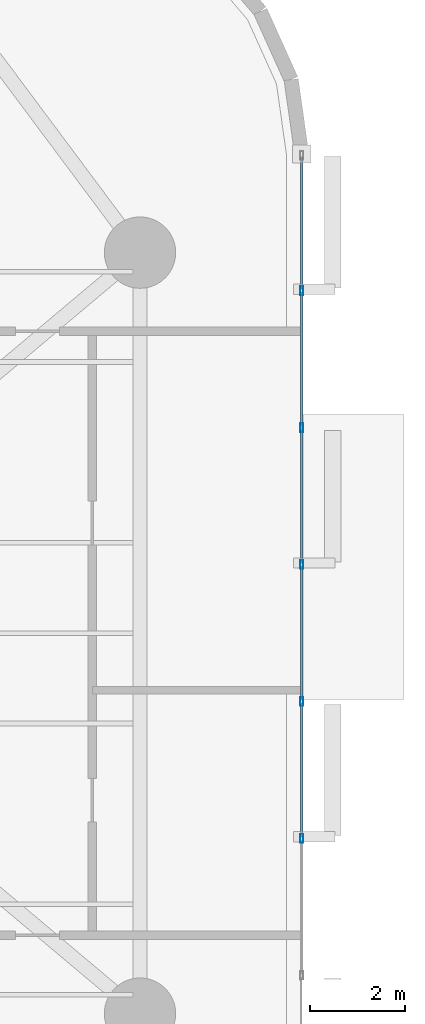
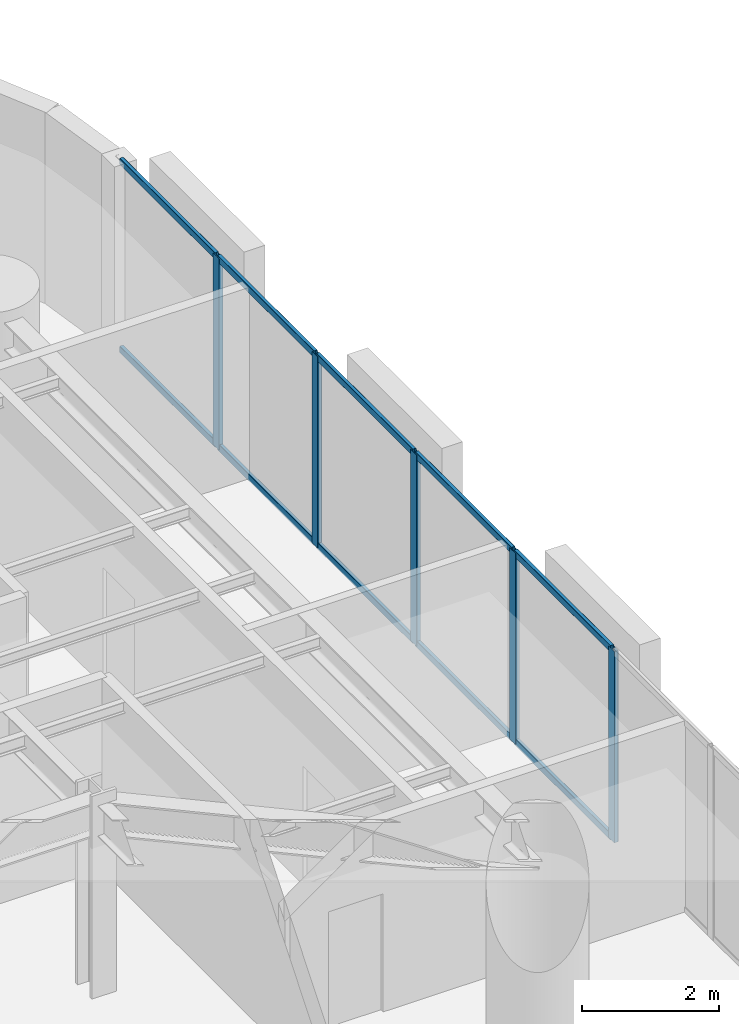
# One storey, part 6 of 16: 15 members, 1 element without a shape of its own.
"""IFC4 building model written with IfcOpenShell, lengths in metres."""

from ifc_helpers import new_model, si_unit, direction, frame, origin, origin_2d, place, context, subcontext, project, spatial, hollow_rectangle, extrude, material, layer, layer_set, material_profile, profile_set, type_object, element, aggregate, save


model = new_model("IFC4")

# Units and contexts
model_context = context("Model", 3, precision=1e-05, world=origin(), true_north=direction((0.0, 1.0)))
body_context = subcontext(model_context, "Body", "Model", "MODEL_VIEW")
ifc_project = project(units=[si_unit("LENGTHUNIT", "METRE"), si_unit("AREAUNIT", "SQUARE_METRE"), si_unit("VOLUMEUNIT", "CUBIC_METRE"), si_unit("PLANEANGLEUNIT", "RADIAN"), si_unit("MASSUNIT", "GRAM", prefix="KILO")], contexts=[model_context])

# Site, building, storey
site_placement = place(None, origin())
site = spatial("IfcSite", under=ifc_project, at=site_placement, CompositionType="ELEMENT")
building_placement = place(site_placement, origin())
building = spatial("IfcBuilding", under=site, at=building_placement, Name="An Khanh Terracotta Commons", CompositionType="ELEMENT")
storey_placement = place(building_placement, frame((0.0, 0.0, 50.39990234375)))
storey = spatial("IfcBuildingStorey", under=building, at=storey_placement, Name="L13", CompositionType="ELEMENT", Elevation=50.39990234375)

# Curtain wall, members
ifc_material = material(Name="Anodised Aluminium 6063-T6", Category="aluminium")
ifc_layer = layer(ifc_material, 0.199951171875, Name="Anodised Aluminium 6063-T6")
ifc_layer_set = layer_set([ifc_layer], Name="Anodised Aluminium 6063-T6")
curtain_wall_type = type_object("IfcCurtainWallType", Name="CW-SYS-02", PredefinedType="USERDEFINED", material=ifc_layer_set)
curtain_wall_placement = place(storey_placement, origin())
curtain_wall = element("IfcCurtainWall", 1, at=curtain_wall_placement, inside=storey, type_object=curtain_wall_type, Name="L13 CW-02 Unitised Curtain Wall CW-L13-12", ObjectType="UNITISED CURTAIN WALL", PredefinedType="USERDEFINED")
ifc_material_profile_1 = material_profile(ifc_material, hollow_rectangle(XDim=0.070068359375, YDim=0.179931640625, WallThickness=0.00390625, InnerFilletRadius=0.00390625, OuterFilletRadius=0.008056640625, at=origin_2d()), Name="RHS180x70x4")
ifc_profile_set_1 = profile_set([ifc_material_profile_1], Name="Anodised Aluminium 6063-T6")
member_type_1 = type_object("IfcMemberType", Name="CWM-RHS180x70x4", PredefinedType="MULLION", material=ifc_profile_set_1)
member_1_placement = place(storey_placement, frame((51.60009765625, 19.681396484375, 0.0), z_axis=(0.0, 0.0, 1.0), x_axis=(-1.0, 0.0, 0.0)))
member_1 = element("IfcMember", 2, at=member_1_placement, type_object=member_type_1, Name="CW-02 mullion 3", PredefinedType="MULLION", context=body_context, shape_type="SweptSolid", body=[
    extrude(hollow_rectangle(XDim=0.070068359375, YDim=0.179931640625, WallThickness=0.00390625, InnerFilletRadius=0.00390625, OuterFilletRadius=0.008056640625, at=origin_2d()), origin(), (0.0, 0.0, 1.0), 3.400146484375),
])
member_2_placement = place(storey_placement, frame((51.60009765625, 22.560546875, 0.0), z_axis=(0.0, 0.0, 1.0), x_axis=(-1.0, 0.0, 0.0)))
member_2 = element("IfcMember", 3, at=member_2_placement, type_object=member_type_1, Name="CW-02 mullion 4", PredefinedType="MULLION", context=body_context, shape_type="SweptSolid", body=[
    extrude(hollow_rectangle(XDim=0.070068359375, YDim=0.179931640625, WallThickness=0.00390625, InnerFilletRadius=0.00390625, OuterFilletRadius=0.008056640625, at=origin_2d()), origin(), (0.0, 0.0, 1.0), 3.400146484375),
])
member_3_placement = place(storey_placement, frame((51.60009765625, 25.439453125, 0.0), z_axis=(0.0, 0.0, 1.0), x_axis=(-1.0, 0.0, 0.0)))
member_3 = element("IfcMember", 4, at=member_3_placement, type_object=member_type_1, Name="CW-02 mullion 5", PredefinedType="MULLION", context=body_context, shape_type="SweptSolid", body=[
    extrude(hollow_rectangle(XDim=0.070068359375, YDim=0.179931640625, WallThickness=0.00390625, InnerFilletRadius=0.00390625, OuterFilletRadius=0.008056640625, at=origin_2d()), origin(), (0.0, 0.0, 1.0), 3.400146484375),
])
member_4_placement = place(storey_placement, frame((51.60009765625, 28.318603515625, 0.0), z_axis=(0.0, 0.0, 1.0), x_axis=(-1.0, 0.0, 0.0)))
member_4 = element("IfcMember", 5, at=member_4_placement, type_object=member_type_1, Name="CW-02 mullion 6", PredefinedType="MULLION", context=body_context, shape_type="SweptSolid", body=[
    extrude(hollow_rectangle(XDim=0.070068359375, YDim=0.179931640625, WallThickness=0.00390625, InnerFilletRadius=0.00390625, OuterFilletRadius=0.008056640625, at=origin_2d()), origin(), (0.0, 0.0, 1.0), 3.400146484375),
])
member_5_placement = place(storey_placement, frame((51.60009765625, 31.19775390625, 0.0), z_axis=(0.0, 0.0, 1.0), x_axis=(-1.0, 0.0, 0.0)))
member_5 = element("IfcMember", 6, at=member_5_placement, type_object=member_type_1, Name="CW-02 mullion 7", PredefinedType="MULLION", context=body_context, shape_type="SweptSolid", body=[
    extrude(hollow_rectangle(XDim=0.070068359375, YDim=0.179931640625, WallThickness=0.00390625, InnerFilletRadius=0.00390625, OuterFilletRadius=0.008056640625, at=origin_2d()), origin(), (0.0, 0.0, 1.0), 3.400146484375),
])
ifc_material_profile_2 = material_profile(ifc_material, hollow_rectangle(XDim=0.06005859375, YDim=0.1201171875, WallThickness=0.003662109375, InnerFilletRadius=0.003662109375, OuterFilletRadius=0.007080078125, at=origin_2d()), Name="RHS120x60x3.6")
ifc_profile_set_2 = profile_set([ifc_material_profile_2], Name="Anodised Aluminium 6063-T6")
member_type_2 = type_object("IfcMemberType", Name="CWT-RHS120x60x3.6", PredefinedType="USERDEFINED", material=ifc_profile_set_2)
member_6_placement = place(storey_placement, frame((51.60009765625, 19.71630859375, 0.030029296875), z_axis=(0.0, 1.0, 0.0), x_axis=(-1.0, 0.0, 0.0)))
member_6 = element("IfcMember", 7, at=member_6_placement, type_object=member_type_2, Name="CW-02 transom 3.1", ObjectType="TRANSOM", PredefinedType="USERDEFINED", context=body_context, shape_type="SweptSolid", body=[
    extrude(hollow_rectangle(XDim=0.06005859375, YDim=0.1201171875, WallThickness=0.003662109375, InnerFilletRadius=0.003662109375, OuterFilletRadius=0.007080078125, at=origin_2d()), origin(), (0.0, 0.0, 1.0), 2.80908203125),
])
member_7_placement = place(storey_placement, frame((51.60009765625, 19.71630859375, 3.3701171875), z_axis=(0.0, 1.0, 0.0), x_axis=(-1.0, 0.0, 0.0)))
member_7 = element("IfcMember", 8, at=member_7_placement, type_object=member_type_2, Name="CW-02 transom 3.2", ObjectType="TRANSOM", PredefinedType="USERDEFINED", context=body_context, shape_type="SweptSolid", body=[
    extrude(hollow_rectangle(XDim=0.06005859375, YDim=0.1201171875, WallThickness=0.003662109375, InnerFilletRadius=0.003662109375, OuterFilletRadius=0.007080078125, at=origin_2d()), origin(), (0.0, 0.0, 1.0), 2.80908203125),
])
member_8_placement = place(storey_placement, frame((51.60009765625, 22.595458984375, 0.030029296875), z_axis=(0.0, 1.0, 0.0), x_axis=(-1.0, 0.0, 0.0)))
member_8 = element("IfcMember", 9, at=member_8_placement, type_object=member_type_2, Name="CW-02 transom 4.1", ObjectType="TRANSOM", PredefinedType="USERDEFINED", context=body_context, shape_type="SweptSolid", body=[
    extrude(hollow_rectangle(XDim=0.06005859375, YDim=0.1201171875, WallThickness=0.003662109375, InnerFilletRadius=0.003662109375, OuterFilletRadius=0.007080078125, at=origin_2d()), origin(), (0.0, 0.0, 1.0), 2.80908203125),
])
member_9_placement = place(storey_placement, frame((51.60009765625, 22.595458984375, 3.3701171875), z_axis=(0.0, 1.0, 0.0), x_axis=(-1.0, 0.0, 0.0)))
member_9 = element("IfcMember", 10, at=member_9_placement, type_object=member_type_2, Name="CW-02 transom 4.2", ObjectType="TRANSOM", PredefinedType="USERDEFINED", context=body_context, shape_type="SweptSolid", body=[
    extrude(hollow_rectangle(XDim=0.06005859375, YDim=0.1201171875, WallThickness=0.003662109375, InnerFilletRadius=0.003662109375, OuterFilletRadius=0.007080078125, at=origin_2d()), origin(), (0.0, 0.0, 1.0), 2.80908203125),
])
member_10_placement = place(storey_placement, frame((51.60009765625, 25.474609375, 0.030029296875), z_axis=(0.0, 1.0, 0.0), x_axis=(-1.0, 0.0, 0.0)))
member_10 = element("IfcMember", 11, at=member_10_placement, type_object=member_type_2, Name="CW-02 transom 5.1", ObjectType="TRANSOM", PredefinedType="USERDEFINED", context=body_context, shape_type="SweptSolid", body=[
    extrude(hollow_rectangle(XDim=0.06005859375, YDim=0.1201171875, WallThickness=0.003662109375, InnerFilletRadius=0.003662109375, OuterFilletRadius=0.007080078125, at=origin_2d()), origin(), (0.0, 0.0, 1.0), 2.80908203125),
])
member_11_placement = place(storey_placement, frame((51.60009765625, 25.474609375, 3.3701171875), z_axis=(0.0, 1.0, 0.0), x_axis=(-1.0, 0.0, 0.0)))
member_11 = element("IfcMember", 12, at=member_11_placement, type_object=member_type_2, Name="CW-02 transom 5.2", ObjectType="TRANSOM", PredefinedType="USERDEFINED", context=body_context, shape_type="SweptSolid", body=[
    extrude(hollow_rectangle(XDim=0.06005859375, YDim=0.1201171875, WallThickness=0.003662109375, InnerFilletRadius=0.003662109375, OuterFilletRadius=0.007080078125, at=origin_2d()), origin(), (0.0, 0.0, 1.0), 2.80908203125),
])
member_12_placement = place(storey_placement, frame((51.60009765625, 28.353759765625, 0.030029296875), z_axis=(0.0, 1.0, 0.0), x_axis=(-1.0, 0.0, 0.0)))
member_12 = element("IfcMember", 13, at=member_12_placement, type_object=member_type_2, Name="CW-02 transom 6.1", ObjectType="TRANSOM", PredefinedType="USERDEFINED", context=body_context, shape_type="SweptSolid", body=[
    extrude(hollow_rectangle(XDim=0.06005859375, YDim=0.1201171875, WallThickness=0.003662109375, InnerFilletRadius=0.003662109375, OuterFilletRadius=0.007080078125, at=origin_2d()), origin(), (0.0, 0.0, 1.0), 2.80908203125),
])
member_13_placement = place(storey_placement, frame((51.60009765625, 28.353759765625, 3.3701171875), z_axis=(0.0, 1.0, 0.0), x_axis=(-1.0, 0.0, 0.0)))
member_13 = element("IfcMember", 14, at=member_13_placement, type_object=member_type_2, Name="CW-02 transom 6.2", ObjectType="TRANSOM", PredefinedType="USERDEFINED", context=body_context, shape_type="SweptSolid", body=[
    extrude(hollow_rectangle(XDim=0.06005859375, YDim=0.1201171875, WallThickness=0.003662109375, InnerFilletRadius=0.003662109375, OuterFilletRadius=0.007080078125, at=origin_2d()), origin(), (0.0, 0.0, 1.0), 2.80908203125),
])
member_14_placement = place(storey_placement, frame((51.60009765625, 31.23291015625, 0.030029296875), z_axis=(0.0, 1.0, 0.0), x_axis=(-1.0, 0.0, 0.0)))
member_14 = element("IfcMember", 15, at=member_14_placement, type_object=member_type_2, Name="CW-02 transom 7.1", ObjectType="TRANSOM", PredefinedType="USERDEFINED", context=body_context, shape_type="SweptSolid", body=[
    extrude(hollow_rectangle(XDim=0.06005859375, YDim=0.1201171875, WallThickness=0.003662109375, InnerFilletRadius=0.003662109375, OuterFilletRadius=0.007080078125, at=origin_2d()), origin(), (0.0, 0.0, 1.0), 2.774169921875),
])
member_15_placement = place(storey_placement, frame((51.60009765625, 31.23291015625, 3.3701171875), z_axis=(0.0, 1.0, 0.0), x_axis=(-1.0, 0.0, 0.0)))
member_15 = element("IfcMember", 16, at=member_15_placement, type_object=member_type_2, Name="CW-02 transom 7.2", ObjectType="TRANSOM", PredefinedType="USERDEFINED", context=body_context, shape_type="SweptSolid", body=[
    extrude(hollow_rectangle(XDim=0.06005859375, YDim=0.1201171875, WallThickness=0.003662109375, InnerFilletRadius=0.003662109375, OuterFilletRadius=0.007080078125, at=origin_2d()), origin(), (0.0, 0.0, 1.0), 2.774169921875),
])
aggregate(curtain_wall, [member_1, member_2, member_3, member_4, member_5, member_6, member_7, member_8, member_9, member_10, member_11, member_12, member_13, member_14, member_15])

save(model, "model.ifc")
